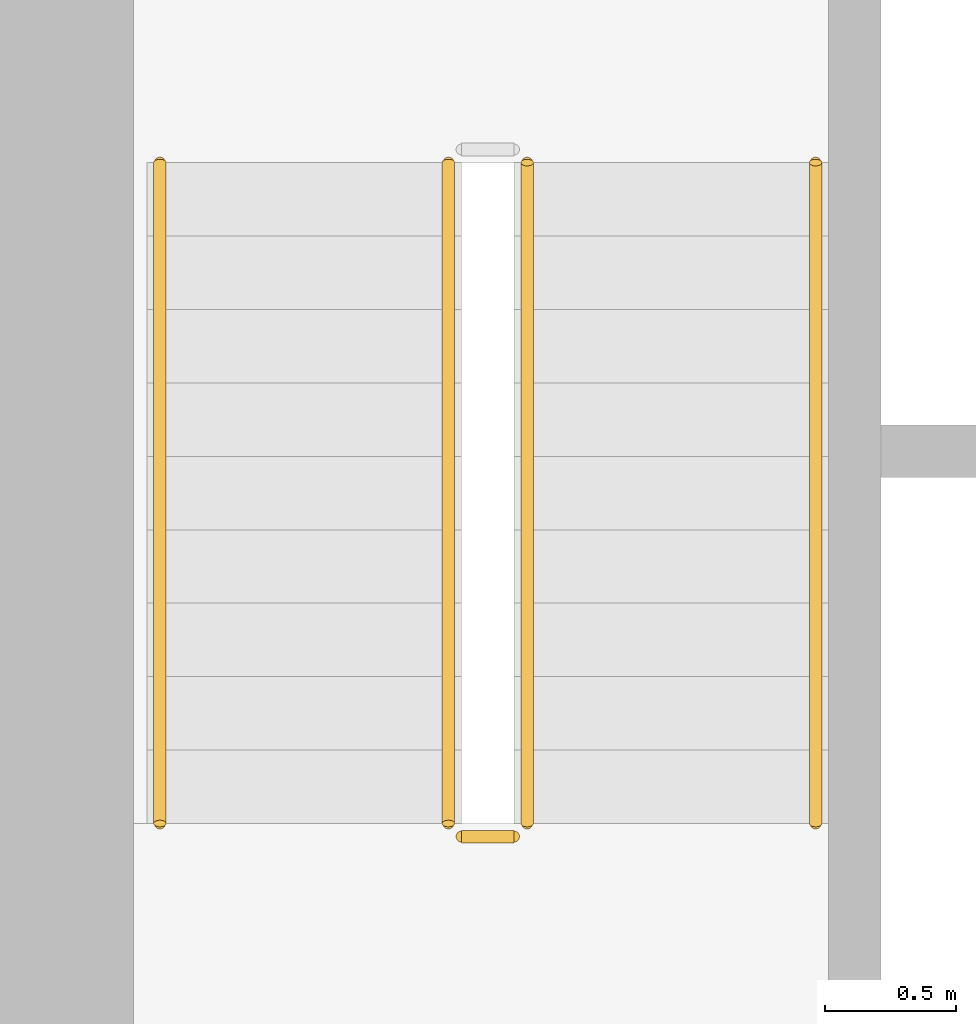
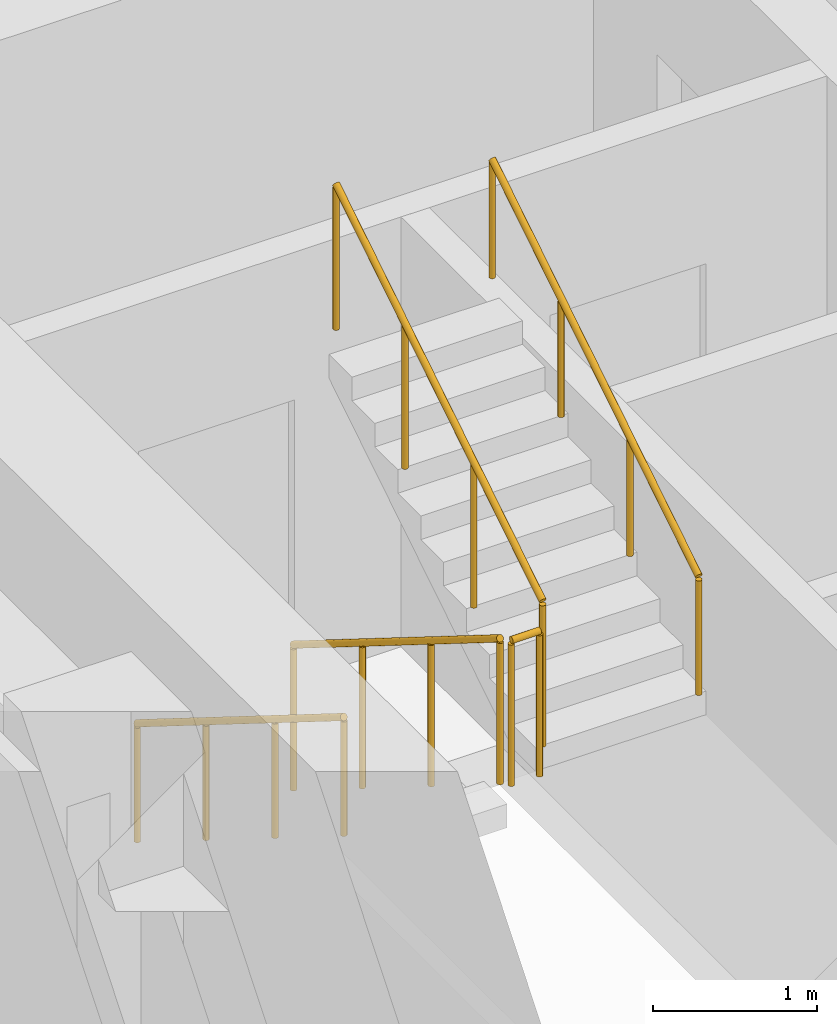
# One storey, part 14 of 21: 5 railings.
"""IFC4 building model written with IfcOpenShell, lengths in metres."""

from ifc_helpers import new_model, si_unit, direction, frame, origin, origin_2d, place, context, subcontext, project, spatial, circle, extrude, material, type_object, element, save


model = new_model("IFC4")

# Units and contexts
model_context = context("Model", 3, precision=1e-05, world=origin(), true_north=direction((0.0, 1.0)))
body_context = subcontext(model_context, "Body", "Model", "MODEL_VIEW")
ifc_project = project(units=[si_unit("LENGTHUNIT", "METRE"), si_unit("AREAUNIT", "SQUARE_METRE"), si_unit("VOLUMEUNIT", "CUBIC_METRE"), si_unit("PLANEANGLEUNIT", "RADIAN"), si_unit("MASSUNIT", "GRAM", prefix="KILO")], contexts=[model_context])

# Site, building, storey
site_placement = place(None, origin())
site = spatial("IfcSite", under=ifc_project, at=site_placement, CompositionType="ELEMENT")
building_placement = place(site_placement, origin())
building = spatial("IfcBuilding", under=site, at=building_placement, Name="Kiln Ring Residences", CompositionType="ELEMENT")
storey_placement = place(building_placement, frame((0.0, 0.0, 192.39990234375)))
storey = spatial("IfcBuildingStorey", under=building, at=storey_placement, Name="L49", CompositionType="ELEMENT", Elevation=192.39990234375)

# Railings
ifc_material_1 = material(Name="Stainless steel", Category="steel")
railing_type_1 = type_object("IfcRailingType", Name="CORE-STAIR-GUARD", PredefinedType="GUARDRAIL", material=ifc_material_1)
railing_1_placement = place(storey_placement, frame((-22.25, 8.39990234375, 0.175048828125)))
element("IfcRailing", 1, at=railing_1_placement, inside=storey, type_object=railing_type_1, Name="L49 W-STN stair guard 1", PredefinedType="GUARDRAIL", context=body_context, shape_type="SweptSolid", body=[
    extrude(circle(Radius=0.02392578125, at=origin_2d()), frame((0.0, 0.0, 1.076171875), z_axis=(0.0, -0.848007534815, 0.529984170421), x_axis=(1.0, 0.0, 0.0)), (0.0, 0.0, 1.0), 2.9716796875),
    extrude(circle(Radius=0.02099609375, at=origin_2d()), origin(), (0.0, 0.0, 1.0), 1.052001953125),
    extrude(circle(Radius=0.02099609375, at=origin_2d()), frame((0.0, -0.840087890625, 0.52490234375)), (0.0, 0.0, 1.0), 1.052001953125),
    extrude(circle(Radius=0.02099609375, at=origin_2d()), frame((0.0, -1.679931640625, 1.050048828125)), (0.0, 0.0, 1.0), 1.052001953125),
    extrude(circle(Radius=0.02099609375, at=origin_2d()), frame((0.0, -2.52001953125, 1.574951171875)), (0.0, 0.0, 1.0), 1.052001953125),
])
railing_2_placement = place(storey_placement, frame((-22.199951171875, 5.830078125, 1.75)))
element("IfcRailing", 2, at=railing_2_placement, inside=storey, type_object=railing_type_1, Name="L49 W-STN stair guard 2", PredefinedType="GUARDRAIL", context=body_context, shape_type="SweptSolid", body=[
    extrude(circle(Radius=0.02392578125, at=origin_2d()), frame((0.0, 0.0, 1.076171875), z_axis=(1.0, 0.0, 0.0), x_axis=(0.0, 1.0, 0.0)), (0.0, 0.0, 1.0), 0.199951171875),
    extrude(circle(Radius=0.02099609375, at=origin_2d()), origin(), (0.0, 0.0, 1.0), 1.052001953125),
    extrude(circle(Radius=0.02099609375, at=origin_2d()), frame((0.199951171875, 0.0, 0.0)), (0.0, 0.0, 1.0), 1.052001953125),
])
railing_3_placement = place(storey_placement, frame((-21.949951171875, 5.8798828125, 1.925048828125)))
element("IfcRailing", 3, at=railing_3_placement, inside=storey, type_object=railing_type_1, Name="L49 W-STN stair guard 3", PredefinedType="GUARDRAIL", context=body_context, shape_type="SweptSolid", body=[
    extrude(circle(Radius=0.02392578125, at=origin_2d()), frame((0.0, 0.0, 1.076171875), z_axis=(0.0, 0.848007534815, 0.529984170421), x_axis=(-1.0, 0.0, 0.0)), (0.0, 0.0, 1.0), 2.9716796875),
    extrude(circle(Radius=0.02099609375, at=origin_2d()), origin(), (0.0, 0.0, 1.0), 1.052001953125),
    extrude(circle(Radius=0.02099609375, at=origin_2d()), frame((0.0, 0.840087890625, 0.52490234375)), (0.0, 0.0, 1.0), 1.052001953125),
    extrude(circle(Radius=0.02099609375, at=origin_2d()), frame((0.0, 1.679931640625, 1.050048828125)), (0.0, 0.0, 1.0), 1.052001953125),
    extrude(circle(Radius=0.02099609375, at=origin_2d()), frame((0.0, 2.52001953125, 1.574951171875)), (0.0, 0.0, 1.0), 1.052001953125),
])
ifc_material_2 = material(Name="Stainless steel", Category="steel")
railing_type_2 = type_object("IfcRailingType", Name="CORE-STAIR-HANDRAIL", PredefinedType="HANDRAIL", material=ifc_material_2)
railing_4_placement = place(storey_placement, frame((-23.35009765625, 8.39990234375, 0.175048828125)))
element("IfcRailing", 4, at=railing_4_placement, inside=storey, type_object=railing_type_2, Name="L49 W-STN stair handrail 1", PredefinedType="HANDRAIL", context=body_context, shape_type="SweptSolid", body=[
    extrude(circle(Radius=0.02392578125, at=origin_2d()), frame((0.0, 0.0, 0.8759765625), z_axis=(0.0, -0.848007534815, 0.529984170421), x_axis=(1.0, 0.0, 0.0)), (0.0, 0.0, 1.0), 2.9716796875),
    extrude(circle(Radius=0.02099609375, at=origin_2d()), origin(), (0.0, 0.0, 1.0), 0.851806640625),
    extrude(circle(Radius=0.02099609375, at=origin_2d()), frame((0.0, -0.840087890625, 0.52490234375)), (0.0, 0.0, 1.0), 0.851806640625),
    extrude(circle(Radius=0.02099609375, at=origin_2d()), frame((0.0, -1.679931640625, 1.050048828125)), (0.0, 0.0, 1.0), 0.851806640625),
    extrude(circle(Radius=0.02099609375, at=origin_2d()), frame((0.0, -2.52001953125, 1.574951171875)), (0.0, 0.0, 1.0), 0.851806640625),
])
railing_5_placement = place(storey_placement, frame((-20.85009765625, 5.8798828125, 1.925048828125)))
element("IfcRailing", 5, at=railing_5_placement, inside=storey, type_object=railing_type_2, Name="L49 W-STN stair handrail 2", PredefinedType="HANDRAIL", context=body_context, shape_type="SweptSolid", body=[
    extrude(circle(Radius=0.02392578125, at=origin_2d()), frame((0.0, 0.0, 0.8759765625), z_axis=(0.0, 0.848007534815, 0.529984170421), x_axis=(-1.0, 0.0, 0.0)), (0.0, 0.0, 1.0), 2.9716796875),
    extrude(circle(Radius=0.02099609375, at=origin_2d()), origin(), (0.0, 0.0, 1.0), 0.851806640625),
    extrude(circle(Radius=0.02099609375, at=origin_2d()), frame((0.0, 0.840087890625, 0.52490234375)), (0.0, 0.0, 1.0), 0.851806640625),
    extrude(circle(Radius=0.02099609375, at=origin_2d()), frame((0.0, 1.679931640625, 1.050048828125)), (0.0, 0.0, 1.0), 0.851806640625),
    extrude(circle(Radius=0.02099609375, at=origin_2d()), frame((0.0, 2.52001953125, 1.574951171875)), (0.0, 0.0, 1.0), 0.851806640625),
])

save(model, "model.ifc")
